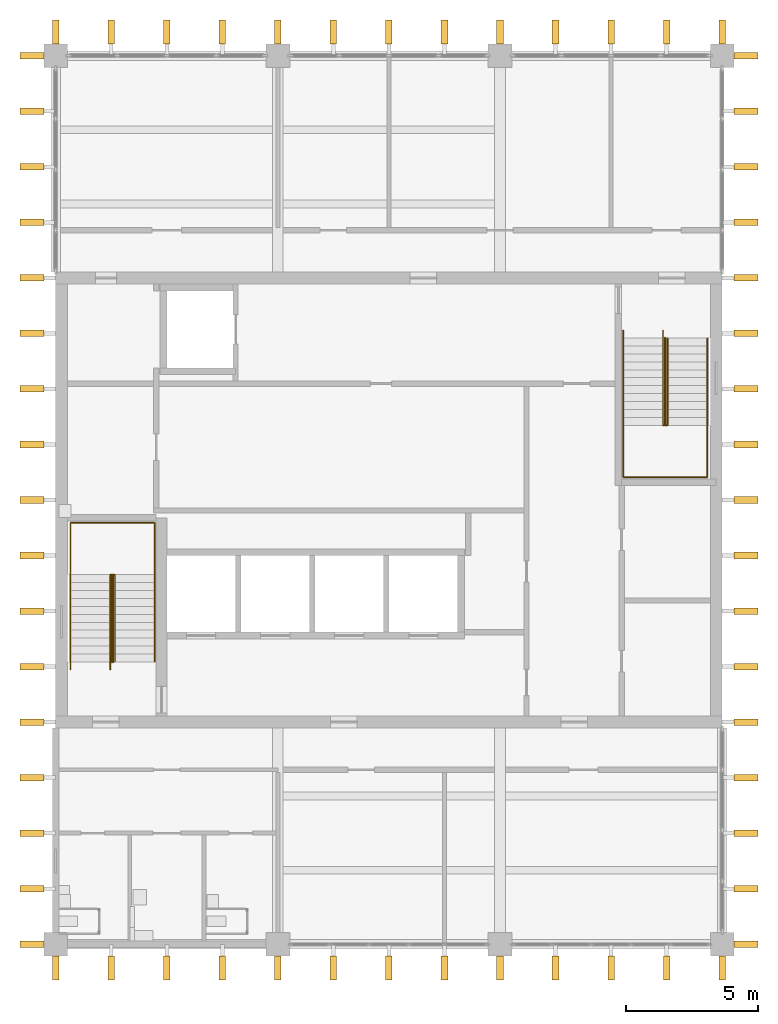
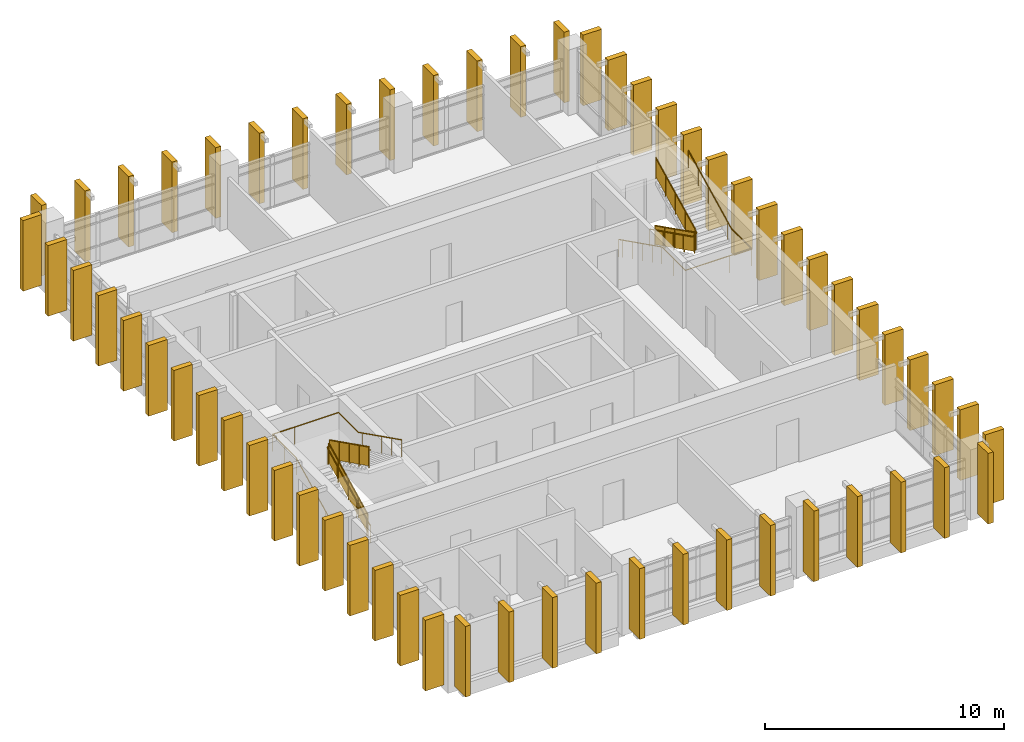
# One storey, part 9 of 10: 60 shading devices, 8 railings.
"""IFC4 building model written with IfcOpenShell, lengths in metres."""

from ifc_helpers import new_model, si_unit, direction, frame, origin, origin_2d, place, context, subcontext, project, spatial, polyline, rectangle, circle, outline, extrude, material, material_profile, profile_set, type_object, element, save


model = new_model("IFC4")

# Units and contexts
model_context = context("Model", 3, precision=1e-05, world=origin(), true_north=direction((0.0, 1.0)))
body_context = subcontext(model_context, "Body", "Model", "MODEL_VIEW")
ifc_project = project(units=[si_unit("LENGTHUNIT", "METRE"), si_unit("AREAUNIT", "SQUARE_METRE"), si_unit("VOLUMEUNIT", "CUBIC_METRE"), si_unit("PLANEANGLEUNIT", "RADIAN"), si_unit("MASSUNIT", "GRAM", prefix="KILO")], contexts=[model_context])

# Site, building, storey
site_placement = place(None, origin())
site = spatial("IfcSite", under=ifc_project, at=site_placement, CompositionType="ELEMENT")
building_placement = place(site_placement, origin())
building = spatial("IfcBuilding", under=site, at=building_placement, Name="Rulbaag Community and Learning Centre", CompositionType="ELEMENT")
storey_placement = place(building_placement, frame((0.0, 0.0, 28.800048828125)))
storey = spatial("IfcBuildingStorey", under=building, at=storey_placement, Name="L07", CompositionType="ELEMENT", Elevation=28.800048828125)

# Shading devices
ifc_material_1 = material(Name="Concrete M40", Category="concrete")
ifc_material_profile = material_profile(ifc_material_1, rectangle(XDim=0.25, YDim=0.89990234375, at=origin_2d()), Name="PC 250x900")
ifc_profile_set = profile_set([ifc_material_profile], Name="Concrete M40")
shading_device_type = type_object("IfcShadingDeviceType", Name="FIN-H", PredefinedType="JALOUSIE", material=ifc_profile_set)
for number, where, z_axis, x_axis, name in (
    (1, (142.800048828125, 83.10009765625, 0.0), (0.0, 0.0, 1.0), (1.0, 0.0, 0.0), "Precast fin"),
    (2, (144.89990234375, 83.10009765625, 0.0), (0.0, 0.0, 1.0), (1.0, 0.0, 0.0), "Precast fin"),
    (3, (147.0, 83.10009765625, 0.0), (0.0, 0.0, 1.0), (1.0, 0.0, 0.0), "Precast fin"),
    (4, (149.10009765625, 83.10009765625, 0.0), (0.0, 0.0, 1.0), (1.0, 0.0, 0.0), "Precast fin"),
    (5, (151.199951171875, 83.10009765625, 0.0), (0.0, 0.0, 1.0), (1.0, 0.0, 0.0), "Precast fin"),
    (6, (153.300048828125, 83.10009765625, 0.0), (0.0, 0.0, 1.0), (1.0, 0.0, 0.0), "Precast fin"),
    (7, (155.39990234375, 83.10009765625, 0.0), (0.0, 0.0, 1.0), (1.0, 0.0, 0.0), "Precast fin"),
    (8, (157.5, 83.10009765625, 0.0), (0.0, 0.0, 1.0), (1.0, 0.0, 0.0), "Precast fin"),
    (9, (159.60009765625, 83.10009765625, 0.0), (0.0, 0.0, 1.0), (1.0, 0.0, 0.0), "Precast fin"),
    (10, (161.699951171875, 83.10009765625, 0.0), (0.0, 0.0, 1.0), (1.0, 0.0, 0.0), "Precast fin"),
    (11, (163.800048828125, 83.10009765625, 0.0), (0.0, 0.0, 1.0), (1.0, 0.0, 0.0), "Precast fin"),
    (12, (165.89990234375, 83.10009765625, 0.0), (0.0, 0.0, 1.0), (1.0, 0.0, 0.0), "Precast fin"),
    (13, (168.0, 83.10009765625, 0.0), (0.0, 0.0, 1.0), (1.0, 0.0, 0.0), "Precast fin"),
    (14, (142.800048828125, 118.5, 0.0), (0.0, 0.0, 1.0), (1.0, 0.0, 0.0), "Precast fin"),
    (15, (144.89990234375, 118.5, 0.0), (0.0, 0.0, 1.0), (1.0, 0.0, 0.0), "Precast fin"),
    (16, (147.0, 118.5, 0.0), (0.0, 0.0, 1.0), (1.0, 0.0, 0.0), "Precast fin"),
    (17, (149.10009765625, 118.5, 0.0), (0.0, 0.0, 1.0), (1.0, 0.0, 0.0), "Precast fin"),
    (18, (151.199951171875, 118.5, 0.0), (0.0, 0.0, 1.0), (1.0, 0.0, 0.0), "Precast fin"),
    (19, (153.300048828125, 118.5, 0.0), (0.0, 0.0, 1.0), (1.0, 0.0, 0.0), "Precast fin"),
    (20, (155.39990234375, 118.5, 0.0), (0.0, 0.0, 1.0), (1.0, 0.0, 0.0), "Precast fin"),
    (21, (157.5, 118.5, 0.0), (0.0, 0.0, 1.0), (1.0, 0.0, 0.0), "Precast fin"),
    (22, (159.60009765625, 118.5, 0.0), (0.0, 0.0, 1.0), (1.0, 0.0, 0.0), "Precast fin"),
    (23, (161.699951171875, 118.5, 0.0), (0.0, 0.0, 1.0), (1.0, 0.0, 0.0), "Precast fin"),
    (24, (163.800048828125, 118.5, 0.0), (0.0, 0.0, 1.0), (1.0, 0.0, 0.0), "Precast fin"),
    (25, (165.89990234375, 118.5, 0.0), (0.0, 0.0, 1.0), (1.0, 0.0, 0.0), "Precast fin"),
    (26, (168.0, 118.5, 0.0), (0.0, 0.0, 1.0), (1.0, 0.0, 0.0), "Precast fin"),
    (27, (141.89990234375, 84.0, 0.0), (0.0, 0.0, 1.0), (0.0, 1.0, 0.0), "Precast fin"),
    (28, (141.89990234375, 86.10009765625, 0.0), (0.0, 0.0, 1.0), (0.0, 1.0, 0.0), "Precast fin"),
    (29, (141.89990234375, 88.199951171875, 0.0), (0.0, 0.0, 1.0), (0.0, 1.0, 0.0), "Precast fin"),
    (30, (141.89990234375, 90.300048828125, 0.0), (0.0, 0.0, 1.0), (0.0, 1.0, 0.0), "Precast fin"),
    (31, (141.89990234375, 92.39990234375, 0.0), (0.0, 0.0, 1.0), (0.0, 1.0, 0.0), "Precast fin"),
    (32, (141.89990234375, 94.5, 0.0), (0.0, 0.0, 1.0), (0.0, 1.0, 0.0), "Precast fin"),
    (33, (141.89990234375, 96.60009765625, 0.0), (0.0, 0.0, 1.0), (0.0, 1.0, 0.0), "Precast fin"),
    (34, (141.89990234375, 98.699951171875, 0.0), (0.0, 0.0, 1.0), (0.0, 1.0, 0.0), "Precast fin"),
    (35, (141.89990234375, 100.800048828125, 0.0), (0.0, 0.0, 1.0), (0.0, 1.0, 0.0), "Precast fin"),
    (36, (141.89990234375, 102.89990234375, 0.0), (0.0, 0.0, 1.0), (0.0, 1.0, 0.0), "Precast fin"),
    (37, (141.89990234375, 105.0, 0.0), (0.0, 0.0, 1.0), (0.0, 1.0, 0.0), "Precast fin"),
    (38, (141.89990234375, 107.10009765625, 0.0), (0.0, 0.0, 1.0), (0.0, 1.0, 0.0), "Precast fin"),
    (39, (141.89990234375, 109.199951171875, 0.0), (0.0, 0.0, 1.0), (0.0, 1.0, 0.0), "Precast fin"),
    (40, (141.89990234375, 111.300048828125, 0.0), (0.0, 0.0, 1.0), (0.0, 1.0, 0.0), "Precast fin"),
    (41, (141.89990234375, 113.39990234375, 0.0), (0.0, 0.0, 1.0), (0.0, 1.0, 0.0), "Precast fin"),
    (42, (141.89990234375, 115.5, 0.0), (0.0, 0.0, 1.0), (0.0, 1.0, 0.0), "Precast fin"),
    (43, (141.89990234375, 117.60009765625, 0.0), (0.0, 0.0, 1.0), (0.0, 1.0, 0.0), "Precast fin"),
    (44, (168.89990234375, 84.0, 0.0), (0.0, 0.0, 1.0), (0.0, 1.0, 0.0), "Precast fin"),
    (45, (168.89990234375, 86.10009765625, 0.0), (0.0, 0.0, 1.0), (0.0, 1.0, 0.0), "Precast fin"),
    (46, (168.89990234375, 88.199951171875, 0.0), (0.0, 0.0, 1.0), (0.0, 1.0, 0.0), "Precast fin"),
    (47, (168.89990234375, 90.300048828125, 0.0), (0.0, 0.0, 1.0), (0.0, 1.0, 0.0), "Precast fin"),
    (48, (168.89990234375, 92.39990234375, 0.0), (0.0, 0.0, 1.0), (0.0, 1.0, 0.0), "Precast fin"),
    (49, (168.89990234375, 94.5, 0.0), (0.0, 0.0, 1.0), (0.0, 1.0, 0.0), "Precast fin"),
    (50, (168.89990234375, 96.60009765625, 0.0), (0.0, 0.0, 1.0), (0.0, 1.0, 0.0), "Precast fin"),
    (51, (168.89990234375, 98.699951171875, 0.0), (0.0, 0.0, 1.0), (0.0, 1.0, 0.0), "Precast fin"),
    (52, (168.89990234375, 100.800048828125, 0.0), (0.0, 0.0, 1.0), (0.0, 1.0, 0.0), "Precast fin"),
    (53, (168.89990234375, 102.89990234375, 0.0), (0.0, 0.0, 1.0), (0.0, 1.0, 0.0), "Precast fin"),
    (54, (168.89990234375, 105.0, 0.0), (0.0, 0.0, 1.0), (0.0, 1.0, 0.0), "Precast fin"),
    (55, (168.89990234375, 107.10009765625, 0.0), (0.0, 0.0, 1.0), (0.0, 1.0, 0.0), "Precast fin"),
    (56, (168.89990234375, 109.199951171875, 0.0), (0.0, 0.0, 1.0), (0.0, 1.0, 0.0), "Precast fin"),
    (57, (168.89990234375, 111.300048828125, 0.0), (0.0, 0.0, 1.0), (0.0, 1.0, 0.0), "Precast fin"),
    (58, (168.89990234375, 113.39990234375, 0.0), (0.0, 0.0, 1.0), (0.0, 1.0, 0.0), "Precast fin"),
    (59, (168.89990234375, 115.5, 0.0), (0.0, 0.0, 1.0), (0.0, 1.0, 0.0), "Precast fin"),
    (60, (168.89990234375, 117.60009765625, 0.0), (0.0, 0.0, 1.0), (0.0, 1.0, 0.0), "Precast fin"),
):
    element("IfcShadingDevice", number, at=place(storey_placement, frame(where, z_axis=z_axis, x_axis=x_axis)), inside=storey, type_object=shading_device_type, Name=name, PredefinedType="JALOUSIE", context=body_context, shape_type="SweptSolid", body=[
        extrude(rectangle(XDim=0.25, YDim=0.89990234375, at=origin_2d()), origin(), (0.0, 0.0, 1.0), 3.599853515625),
    ])

# Railings
ifc_material_2 = material(Name="Galvanised mild steel", Category="steel")
railing_type_1 = type_object("IfcRailingType", Name="GR-1100 GUARD 1100", PredefinedType="GUARDRAIL", material=ifc_material_2)
railing_1_placement = place(storey_placement, frame((144.929931640625, 94.675048828125, 0.14990234375)))
element("IfcRailing", 61, at=railing_1_placement, inside=storey, type_object=railing_type_1, Name="Guard ST1 L07 G", PredefinedType="GUARDRAIL", context=body_context, shape_type="SweptSolid", body=[
    extrude(circle(Radius=0.02490234375, at=origin_2d()), frame((0.0, 0.0, 1.0751953125), z_axis=(0.0, 0.894413956696, 0.447240063129), x_axis=(-1.0, 0.0, 0.0)), (0.0, 0.0, 1.0), 3.689697265625),
    extrude(circle(Radius=0.02001953125, at=origin_2d()), origin(), (0.0, 0.0, 1.0), 1.050048828125),
    extrude(circle(Radius=0.02001953125, at=origin_2d()), frame((0.0, 0.824951171875, 0.41259765625)), (0.0, 0.0, 1.0), 1.050048828125),
    extrude(circle(Radius=0.02001953125, at=origin_2d()), frame((0.0, 1.64990234375, 0.8251953125)), (0.0, 0.0, 1.0), 1.050048828125),
    extrude(circle(Radius=0.02001953125, at=origin_2d()), frame((0.0, 2.47509765625, 1.237548828125)), (0.0, 0.0, 1.0), 1.050048828125),
    extrude(circle(Radius=0.02001953125, at=origin_2d()), frame((0.0, 3.300048828125, 1.650146484375)), (0.0, 0.0, 1.0), 1.050048828125),
    extrude(outline(polyline([(0.0, 0.0), (3.300048828125, 1.650146484375), (3.300048828125, 2.60009765625), (0.0, 0.949951171875), (0.0, 0.0)])), frame((-0.0048828125, 0.0, 0.10009765625), z_axis=(1.0, 0.0, 0.0), x_axis=(0.0, 1.0, 0.0)), (0.0, 0.0, 1.0), 0.010009765625),
])
railing_2_placement = place(storey_placement, frame((144.969970703125, 97.97509765625, 1.949951171875)))
element("IfcRailing", 62, at=railing_2_placement, inside=storey, type_object=railing_type_1, Name="Guard ST1 L07 G2", PredefinedType="GUARDRAIL", context=body_context, shape_type="SweptSolid", body=[
    extrude(circle(Radius=0.02490234375, at=origin_2d()), frame((0.0, 0.0, 1.0751953125), z_axis=(0.0, -0.894440424912, 0.447187126696), x_axis=(1.0, 0.0, 0.0)), (0.0, 0.0, 1.0), 3.689453125),
    extrude(circle(Radius=0.02001953125, at=origin_2d()), origin(), (0.0, 0.0, 1.0), 1.050048828125),
    extrude(circle(Radius=0.02001953125, at=origin_2d()), frame((0.0, -0.824951171875, 0.41259765625)), (0.0, 0.0, 1.0), 1.050048828125),
    extrude(circle(Radius=0.02001953125, at=origin_2d()), frame((0.0, -1.64990234375, 0.824951171875)), (0.0, 0.0, 1.0), 1.050048828125),
    extrude(circle(Radius=0.02001953125, at=origin_2d()), frame((0.0, -2.47509765625, 1.2373046875)), (0.0, 0.0, 1.0), 1.050048828125),
    extrude(circle(Radius=0.02001953125, at=origin_2d()), frame((0.0, -3.300048828125, 1.64990234375)), (0.0, 0.0, 1.0), 1.050048828125),
    extrude(outline(polyline([(0.0, 0.0), (3.300048828125, 1.64990234375), (3.300048828125, 2.599853515625), (0.0, 0.949951171875), (0.0, 0.0)])), frame((0.0048828125, 0.0, 0.10009765625), z_axis=(-1.0, 0.0, 0.0), x_axis=(0.0, -1.0, 0.0)), (0.0, 0.0, 1.0), 0.010009765625),
])
railing_3_placement = place(storey_placement, frame((165.830078125, 106.925048828125, 0.14990234375)))
element("IfcRailing", 63, at=railing_3_placement, inside=storey, type_object=railing_type_1, Name="Guard ST2 L07 G", PredefinedType="GUARDRAIL", context=body_context, shape_type="SweptSolid", body=[
    extrude(circle(Radius=0.02490234375, at=origin_2d()), frame((0.0, 0.0, 1.0751953125), z_axis=(0.0, -0.894413956696, 0.447240063129), x_axis=(1.0, 0.0, 0.0)), (0.0, 0.0, 1.0), 3.689697265625),
    extrude(circle(Radius=0.02001953125, at=origin_2d()), origin(), (0.0, 0.0, 1.0), 1.050048828125),
    extrude(circle(Radius=0.02001953125, at=origin_2d()), frame((0.0, -0.824951171875, 0.41259765625)), (0.0, 0.0, 1.0), 1.050048828125),
    extrude(circle(Radius=0.02001953125, at=origin_2d()), frame((0.0, -1.64990234375, 0.8251953125)), (0.0, 0.0, 1.0), 1.050048828125),
    extrude(circle(Radius=0.02001953125, at=origin_2d()), frame((0.0, -2.47509765625, 1.237548828125)), (0.0, 0.0, 1.0), 1.050048828125),
    extrude(circle(Radius=0.02001953125, at=origin_2d()), frame((0.0, -3.300048828125, 1.650146484375)), (0.0, 0.0, 1.0), 1.050048828125),
    extrude(outline(polyline([(0.0, 0.0), (3.300048828125, 1.650146484375), (3.300048828125, 2.60009765625), (0.0, 0.949951171875), (0.0, 0.0)])), frame((0.0048828125, 0.0, 0.10009765625), z_axis=(-1.0, 0.0, 0.0), x_axis=(0.0, -1.0, 0.0)), (0.0, 0.0, 1.0), 0.010009765625),
])
railing_4_placement = place(storey_placement, frame((165.8701171875, 103.625, 1.949951171875)))
element("IfcRailing", 64, at=railing_4_placement, inside=storey, type_object=railing_type_1, Name="Guard ST2 L07 G2", PredefinedType="GUARDRAIL", context=body_context, shape_type="SweptSolid", body=[
    extrude(circle(Radius=0.02490234375, at=origin_2d()), frame((0.0, 0.0, 1.0751953125), z_axis=(0.0, 0.894440424912, 0.447187126696), x_axis=(-1.0, 0.0, 0.0)), (0.0, 0.0, 1.0), 3.689453125),
    extrude(circle(Radius=0.02001953125, at=origin_2d()), origin(), (0.0, 0.0, 1.0), 1.050048828125),
    extrude(circle(Radius=0.02001953125, at=origin_2d()), frame((0.0, 0.824951171875, 0.41259765625)), (0.0, 0.0, 1.0), 1.050048828125),
    extrude(circle(Radius=0.02001953125, at=origin_2d()), frame((0.0, 1.64990234375, 0.824951171875)), (0.0, 0.0, 1.0), 1.050048828125),
    extrude(circle(Radius=0.02001953125, at=origin_2d()), frame((0.0, 2.47509765625, 1.2373046875)), (0.0, 0.0, 1.0), 1.050048828125),
    extrude(circle(Radius=0.02001953125, at=origin_2d()), frame((0.0, 3.300048828125, 1.64990234375)), (0.0, 0.0, 1.0), 1.050048828125),
    extrude(outline(polyline([(0.0, 0.0), (3.300048828125, 1.64990234375), (3.300048828125, 2.599853515625), (0.0, 0.949951171875), (0.0, 0.0)])), frame((-0.0048828125, 0.0, 0.10009765625), z_axis=(1.0, 0.0, 0.0), x_axis=(0.0, 1.0, 0.0)), (0.0, 0.0, 1.0), 0.010009765625),
])
ifc_material_3 = material(Name="Stainless steel grade 316", Category="steel")
railing_type_2 = type_object("IfcRailingType", Name="HR-900 HANDRAIL 900", PredefinedType="HANDRAIL", material=ifc_material_3)
railing_5_placement = place(storey_placement, frame((143.360107421875, 94.375, 0.0)))
element("IfcRailing", 65, at=railing_5_placement, inside=storey, type_object=railing_type_2, Name="Handrail ST1 L07 O", PredefinedType="HANDRAIL", context=body_context, shape_type="SweptSolid", body=[
    extrude(circle(Radius=0.024169921875, at=origin_2d()), frame((0.0, 0.0, 0.875732421875), z_axis=(0.0, 0.894572720946, 0.446922417137), x_axis=(-1.0, 0.0, 0.0)), (0.0, 0.0, 1.0), 0.33544921875),
    extrude(circle(Radius=0.024169921875, at=origin_2d()), frame((0.0, 0.300048828125, 1.025634765625), z_axis=(0.0, 0.894413956696, 0.447240063129), x_axis=(-1.0, 0.0, 0.0)), (0.0, 0.0, 1.0), 3.689697265625),
    extrude(circle(Radius=0.024169921875, at=origin_2d()), frame((0.0, 3.60009765625, 2.67578125), z_axis=(0.0, 1.0, 0.0), x_axis=(-1.0, 0.0, 0.0)), (0.0, 0.0, 1.0), 1.96484375),
    extrude(circle(Radius=0.024169921875, at=origin_2d()), frame((0.0, 5.56494140625, 2.67578125), z_axis=(1.0, 0.0, 0.0), x_axis=(0.0, 1.0, 0.0)), (0.0, 0.0, 1.0), 3.179931640625),
    extrude(circle(Radius=0.024169921875, at=origin_2d()), frame((3.179931640625, 5.56494140625, 2.67578125), z_axis=(0.0, -1.0, 0.0), x_axis=(1.0, 0.0, 0.0)), (0.0, 0.0, 1.0), 1.6650390625),
    extrude(circle(Radius=0.024169921875, at=origin_2d()), frame((3.179931640625, 3.89990234375, 2.67578125), z_axis=(0.0, -0.894427191, 0.4472135955), x_axis=(1.0, 0.0, 0.0)), (0.0, 0.0, 1.0), 0.335205078125),
    extrude(circle(Radius=0.024169921875, at=origin_2d()), frame((3.179931640625, 3.60009765625, 2.82568359375), z_axis=(0.0, -0.894440424912, 0.447187126696), x_axis=(1.0, 0.0, 0.0)), (0.0, 0.0, 1.0), 3.689453125),
    extrude(circle(Radius=0.008056640625, at=origin_2d()), origin(), (0.0, 0.0, 1.0), 0.8515625),
    extrude(circle(Radius=0.008056640625, at=origin_2d()), frame((0.0, 0.300048828125, 0.14990234375)), (0.0, 0.0, 1.0), 0.8515625),
    extrude(circle(Radius=0.008056640625, at=origin_2d()), frame((0.0, 1.125, 0.5625)), (0.0, 0.0, 1.0), 0.8515625),
    extrude(circle(Radius=0.008056640625, at=origin_2d()), frame((0.0, 1.9501953125, 0.97509765625)), (0.0, 0.0, 1.0), 0.8515625),
    extrude(circle(Radius=0.008056640625, at=origin_2d()), frame((0.0, 2.775146484375, 1.387451171875)), (0.0, 0.0, 1.0), 0.8515625),
    extrude(circle(Radius=0.008056640625, at=origin_2d()), frame((0.0, 3.60009765625, 1.800048828125)), (0.0, 0.0, 1.0), 0.8515625),
    extrude(circle(Radius=0.008056640625, at=origin_2d()), frame((0.0, 4.58251953125, 1.800048828125)), (0.0, 0.0, 1.0), 0.8515625),
    extrude(circle(Radius=0.008056640625, at=origin_2d()), frame((0.0, 5.56494140625, 1.800048828125)), (0.0, 0.0, 1.0), 0.8515625),
    extrude(circle(Radius=0.008056640625, at=origin_2d()), frame((1.06005859375, 5.56494140625, 1.800048828125)), (0.0, 0.0, 1.0), 0.8515625),
    extrude(circle(Radius=0.008056640625, at=origin_2d()), frame((2.119873046875, 5.56494140625, 1.800048828125)), (0.0, 0.0, 1.0), 0.8515625),
    extrude(circle(Radius=0.008056640625, at=origin_2d()), frame((3.179931640625, 5.56494140625, 1.800048828125)), (0.0, 0.0, 1.0), 0.8515625),
    extrude(circle(Radius=0.008056640625, at=origin_2d()), frame((3.179931640625, 4.732421875, 1.800048828125)), (0.0, 0.0, 1.0), 0.8515625),
    extrude(circle(Radius=0.008056640625, at=origin_2d()), frame((3.179931640625, 3.89990234375, 1.800048828125)), (0.0, 0.0, 1.0), 0.8515625),
    extrude(circle(Radius=0.008056640625, at=origin_2d()), frame((3.179931640625, 3.60009765625, 1.949951171875)), (0.0, 0.0, 1.0), 0.8515625),
    extrude(circle(Radius=0.008056640625, at=origin_2d()), frame((3.179931640625, 2.775146484375, 2.3623046875)), (0.0, 0.0, 1.0), 0.8515625),
    extrude(circle(Radius=0.008056640625, at=origin_2d()), frame((3.179931640625, 1.9501953125, 2.77490234375)), (0.0, 0.0, 1.0), 0.8515625),
    extrude(circle(Radius=0.008056640625, at=origin_2d()), frame((3.179931640625, 1.125, 3.1875)), (0.0, 0.0, 1.0), 0.8515625),
    extrude(circle(Radius=0.008056640625, at=origin_2d()), frame((3.179931640625, 0.300048828125, 3.599853515625)), (0.0, 0.0, 1.0), 0.8515625),
])
railing_6_placement = place(storey_placement, frame((144.860107421875, 94.375, 0.0)))
element("IfcRailing", 66, at=railing_6_placement, inside=storey, type_object=railing_type_2, Name="Handrail ST1 L07 I", PredefinedType="HANDRAIL", context=body_context, shape_type="SweptSolid", body=[
    extrude(circle(Radius=0.024169921875, at=origin_2d()), frame((0.0, 0.0, 0.875732421875), z_axis=(0.0, 0.894572720946, 0.446922417137), x_axis=(-1.0, 0.0, 0.0)), (0.0, 0.0, 1.0), 0.33544921875),
    extrude(circle(Radius=0.024169921875, at=origin_2d()), frame((0.0, 0.300048828125, 1.025634765625), z_axis=(0.0, 0.894413956696, 0.447240063129), x_axis=(-1.0, 0.0, 0.0)), (0.0, 0.0, 1.0), 3.689697265625),
    extrude(circle(Radius=0.024169921875, at=origin_2d()), frame((0.0, 3.60009765625, 2.67578125), z_axis=(0.768306721819, 0.0, 0.640081855084), x_axis=(0.0, 1.0, 0.0)), (0.0, 0.0, 1.0), 0.234130859375),
    extrude(circle(Radius=0.024169921875, at=origin_2d()), frame((0.179931640625, 3.60009765625, 2.82568359375), z_axis=(0.0, -0.894440424912, 0.447187126696), x_axis=(1.0, 0.0, 0.0)), (0.0, 0.0, 1.0), 3.689453125),
    extrude(circle(Radius=0.008056640625, at=origin_2d()), origin(), (0.0, 0.0, 1.0), 0.8515625),
    extrude(circle(Radius=0.008056640625, at=origin_2d()), frame((0.0, 0.300048828125, 0.14990234375)), (0.0, 0.0, 1.0), 0.8515625),
    extrude(circle(Radius=0.008056640625, at=origin_2d()), frame((0.0, 1.125, 0.5625)), (0.0, 0.0, 1.0), 0.8515625),
    extrude(circle(Radius=0.008056640625, at=origin_2d()), frame((0.0, 1.9501953125, 0.97509765625)), (0.0, 0.0, 1.0), 0.8515625),
    extrude(circle(Radius=0.008056640625, at=origin_2d()), frame((0.0, 2.775146484375, 1.387451171875)), (0.0, 0.0, 1.0), 0.8515625),
    extrude(circle(Radius=0.008056640625, at=origin_2d()), frame((0.0, 3.60009765625, 1.800048828125)), (0.0, 0.0, 1.0), 0.8515625),
    extrude(circle(Radius=0.008056640625, at=origin_2d()), frame((0.179931640625, 3.60009765625, 1.949951171875)), (0.0, 0.0, 1.0), 0.8515625),
    extrude(circle(Radius=0.008056640625, at=origin_2d()), frame((0.179931640625, 2.775146484375, 2.3623046875)), (0.0, 0.0, 1.0), 0.8515625),
    extrude(circle(Radius=0.008056640625, at=origin_2d()), frame((0.179931640625, 1.9501953125, 2.77490234375)), (0.0, 0.0, 1.0), 0.8515625),
    extrude(circle(Radius=0.008056640625, at=origin_2d()), frame((0.179931640625, 1.125, 3.1875)), (0.0, 0.0, 1.0), 0.8515625),
    extrude(circle(Radius=0.008056640625, at=origin_2d()), frame((0.179931640625, 0.300048828125, 3.599853515625)), (0.0, 0.0, 1.0), 0.8515625),
])
railing_7_placement = place(storey_placement, frame((164.260009765625, 107.22509765625, 0.0)))
element("IfcRailing", 67, at=railing_7_placement, inside=storey, type_object=railing_type_2, Name="Handrail ST2 L07 O", PredefinedType="HANDRAIL", context=body_context, shape_type="SweptSolid", body=[
    extrude(circle(Radius=0.024169921875, at=origin_2d()), frame((0.0, 0.0, 0.875732421875), z_axis=(0.0, -0.894572720946, 0.446922417137), x_axis=(1.0, 0.0, 0.0)), (0.0, 0.0, 1.0), 0.33544921875),
    extrude(circle(Radius=0.024169921875, at=origin_2d()), frame((0.0, -0.300048828125, 1.025634765625), z_axis=(0.0, -0.894413956696, 0.447240063129), x_axis=(1.0, 0.0, 0.0)), (0.0, 0.0, 1.0), 3.689697265625),
    extrude(circle(Radius=0.024169921875, at=origin_2d()), frame((0.0, -3.60009765625, 2.67578125), z_axis=(0.0, -1.0, 0.0), x_axis=(1.0, 0.0, 0.0)), (0.0, 0.0, 1.0), 1.965087890625),
    extrude(circle(Radius=0.024169921875, at=origin_2d()), frame((0.0, -5.565185546875, 2.67578125), z_axis=(1.0, 0.0, 0.0), x_axis=(0.0, 1.0, 0.0)), (0.0, 0.0, 1.0), 3.179931640625),
    extrude(circle(Radius=0.024169921875, at=origin_2d()), frame((3.179931640625, -5.565185546875, 2.67578125), z_axis=(0.0, 1.0, 0.0), x_axis=(-1.0, 0.0, 0.0)), (0.0, 0.0, 1.0), 1.6650390625),
    extrude(circle(Radius=0.024169921875, at=origin_2d()), frame((3.179931640625, -3.900146484375, 2.67578125), z_axis=(0.0, 0.894572720946, 0.446922417137), x_axis=(-1.0, 0.0, 0.0)), (0.0, 0.0, 1.0), 0.33544921875),
    extrude(circle(Radius=0.024169921875, at=origin_2d()), frame((3.179931640625, -3.60009765625, 2.82568359375), z_axis=(0.0, 0.894440424912, 0.447187126696), x_axis=(-1.0, 0.0, 0.0)), (0.0, 0.0, 1.0), 3.689453125),
    extrude(circle(Radius=0.008056640625, at=origin_2d()), origin(), (0.0, 0.0, 1.0), 0.8515625),
    extrude(circle(Radius=0.008056640625, at=origin_2d()), frame((0.0, -0.300048828125, 0.14990234375)), (0.0, 0.0, 1.0), 0.8515625),
    extrude(circle(Radius=0.008056640625, at=origin_2d()), frame((0.0, -1.125, 0.5625)), (0.0, 0.0, 1.0), 0.8515625),
    extrude(circle(Radius=0.008056640625, at=origin_2d()), frame((0.0, -1.9501953125, 0.97509765625)), (0.0, 0.0, 1.0), 0.8515625),
    extrude(circle(Radius=0.008056640625, at=origin_2d()), frame((0.0, -2.775146484375, 1.387451171875)), (0.0, 0.0, 1.0), 0.8515625),
    extrude(circle(Radius=0.008056640625, at=origin_2d()), frame((0.0, -3.60009765625, 1.800048828125)), (0.0, 0.0, 1.0), 0.8515625),
    extrude(circle(Radius=0.008056640625, at=origin_2d()), frame((0.0, -4.58251953125, 1.800048828125)), (0.0, 0.0, 1.0), 0.8515625),
    extrude(circle(Radius=0.008056640625, at=origin_2d()), frame((0.0, -5.565185546875, 1.800048828125)), (0.0, 0.0, 1.0), 0.8515625),
    extrude(circle(Radius=0.008056640625, at=origin_2d()), frame((1.06005859375, -5.565185546875, 1.800048828125)), (0.0, 0.0, 1.0), 0.8515625),
    extrude(circle(Radius=0.008056640625, at=origin_2d()), frame((2.119873046875, -5.565185546875, 1.800048828125)), (0.0, 0.0, 1.0), 0.8515625),
    extrude(circle(Radius=0.008056640625, at=origin_2d()), frame((3.179931640625, -5.565185546875, 1.800048828125)), (0.0, 0.0, 1.0), 0.8515625),
    extrude(circle(Radius=0.008056640625, at=origin_2d()), frame((3.179931640625, -4.732666015625, 1.800048828125)), (0.0, 0.0, 1.0), 0.8515625),
    extrude(circle(Radius=0.008056640625, at=origin_2d()), frame((3.179931640625, -3.900146484375, 1.800048828125)), (0.0, 0.0, 1.0), 0.8515625),
    extrude(circle(Radius=0.008056640625, at=origin_2d()), frame((3.179931640625, -3.60009765625, 1.949951171875)), (0.0, 0.0, 1.0), 0.8515625),
    extrude(circle(Radius=0.008056640625, at=origin_2d()), frame((3.179931640625, -2.775146484375, 2.3623046875)), (0.0, 0.0, 1.0), 0.8515625),
    extrude(circle(Radius=0.008056640625, at=origin_2d()), frame((3.179931640625, -1.9501953125, 2.77490234375)), (0.0, 0.0, 1.0), 0.8515625),
    extrude(circle(Radius=0.008056640625, at=origin_2d()), frame((3.179931640625, -1.125, 3.1875)), (0.0, 0.0, 1.0), 0.8515625),
    extrude(circle(Radius=0.008056640625, at=origin_2d()), frame((3.179931640625, -0.300048828125, 3.599853515625)), (0.0, 0.0, 1.0), 0.8515625),
])
railing_8_placement = place(storey_placement, frame((165.760009765625, 107.22509765625, 0.0)))
element("IfcRailing", 68, at=railing_8_placement, inside=storey, type_object=railing_type_2, Name="Handrail ST2 L07 I", PredefinedType="HANDRAIL", context=body_context, shape_type="SweptSolid", body=[
    extrude(circle(Radius=0.024169921875, at=origin_2d()), frame((0.0, 0.0, 0.875732421875), z_axis=(0.0, -0.894572720946, 0.446922417137), x_axis=(1.0, 0.0, 0.0)), (0.0, 0.0, 1.0), 0.33544921875),
    extrude(circle(Radius=0.024169921875, at=origin_2d()), frame((0.0, -0.300048828125, 1.025634765625), z_axis=(0.0, -0.894413956696, 0.447240063129), x_axis=(1.0, 0.0, 0.0)), (0.0, 0.0, 1.0), 3.689697265625),
    extrude(circle(Radius=0.024169921875, at=origin_2d()), frame((0.0, -3.60009765625, 2.67578125), z_axis=(0.768306721819, 0.0, 0.640081855084), x_axis=(0.0, 1.0, 0.0)), (0.0, 0.0, 1.0), 0.234130859375),
    extrude(circle(Radius=0.024169921875, at=origin_2d()), frame((0.179931640625, -3.60009765625, 2.82568359375), z_axis=(0.0, 0.894440424912, 0.447187126696), x_axis=(-1.0, 0.0, 0.0)), (0.0, 0.0, 1.0), 3.689453125),
    extrude(circle(Radius=0.008056640625, at=origin_2d()), origin(), (0.0, 0.0, 1.0), 0.8515625),
    extrude(circle(Radius=0.008056640625, at=origin_2d()), frame((0.0, -0.300048828125, 0.14990234375)), (0.0, 0.0, 1.0), 0.8515625),
    extrude(circle(Radius=0.008056640625, at=origin_2d()), frame((0.0, -1.125, 0.5625)), (0.0, 0.0, 1.0), 0.8515625),
    extrude(circle(Radius=0.008056640625, at=origin_2d()), frame((0.0, -1.9501953125, 0.97509765625)), (0.0, 0.0, 1.0), 0.8515625),
    extrude(circle(Radius=0.008056640625, at=origin_2d()), frame((0.0, -2.775146484375, 1.387451171875)), (0.0, 0.0, 1.0), 0.8515625),
    extrude(circle(Radius=0.008056640625, at=origin_2d()), frame((0.0, -3.60009765625, 1.800048828125)), (0.0, 0.0, 1.0), 0.8515625),
    extrude(circle(Radius=0.008056640625, at=origin_2d()), frame((0.179931640625, -3.60009765625, 1.949951171875)), (0.0, 0.0, 1.0), 0.8515625),
    extrude(circle(Radius=0.008056640625, at=origin_2d()), frame((0.179931640625, -2.775146484375, 2.3623046875)), (0.0, 0.0, 1.0), 0.8515625),
    extrude(circle(Radius=0.008056640625, at=origin_2d()), frame((0.179931640625, -1.9501953125, 2.77490234375)), (0.0, 0.0, 1.0), 0.8515625),
    extrude(circle(Radius=0.008056640625, at=origin_2d()), frame((0.179931640625, -1.125, 3.1875)), (0.0, 0.0, 1.0), 0.8515625),
    extrude(circle(Radius=0.008056640625, at=origin_2d()), frame((0.179931640625, -0.300048828125, 3.599853515625)), (0.0, 0.0, 1.0), 0.8515625),
])

save(model, "model.ifc")
